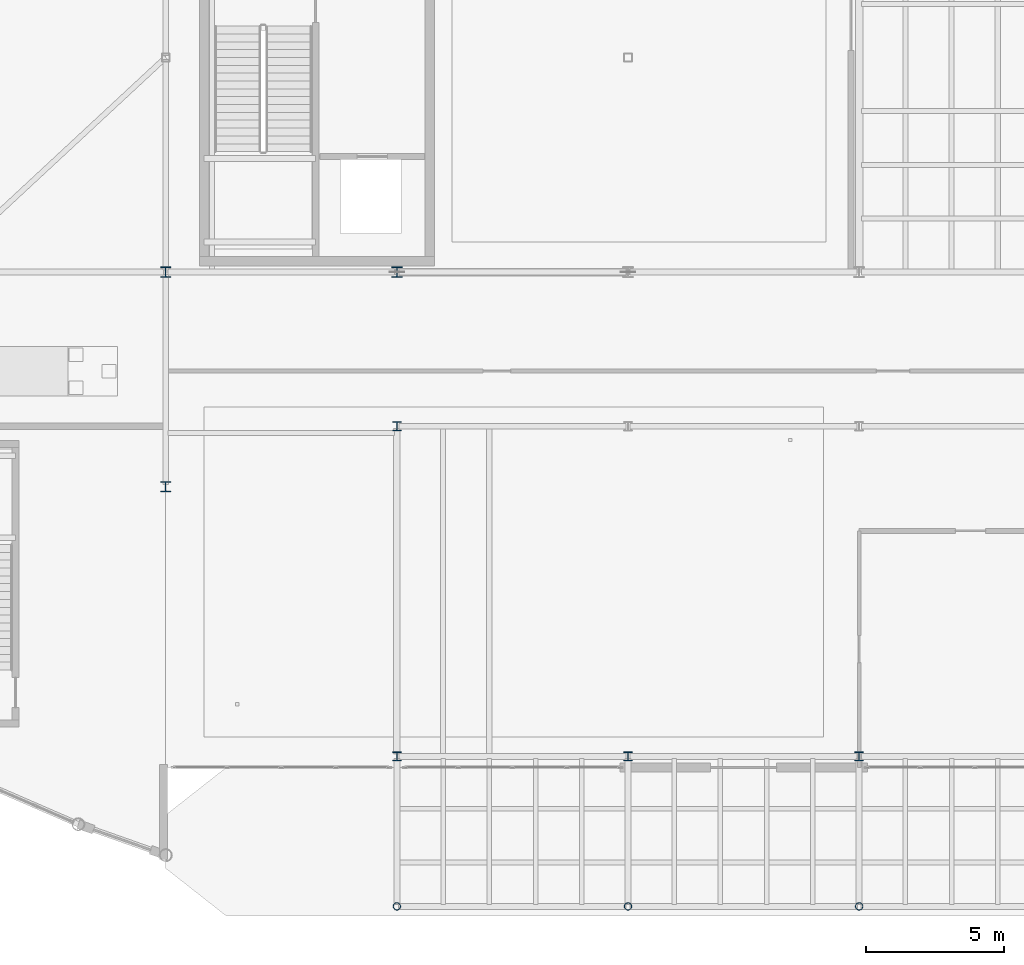
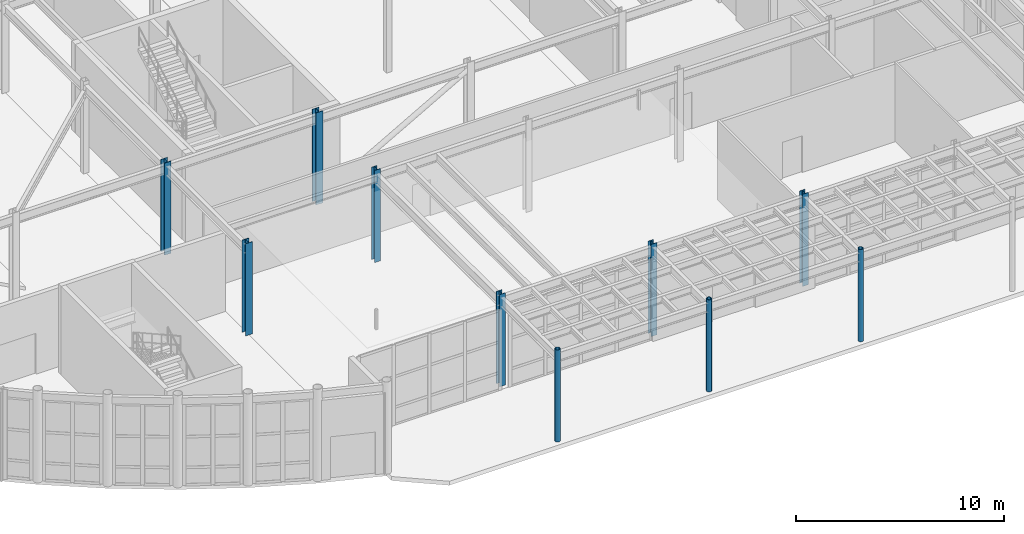
# One storey, part 3 of 87: 10 columns.
"""IFC4 building model written with IfcOpenShell, lengths in metres."""

from ifc_helpers import new_model, si_unit, direction, frame, origin, origin_2d, place, context, subcontext, project, spatial, hollow_circle, i_section, extrude, material, material_profile, profile_set, type_object, element, save


model = new_model("IFC4")

# Units and contexts
model_context = context("Model", 3, precision=1e-05, world=origin(), true_north=direction((0.0, 1.0)))
body_context = subcontext(model_context, "Body", "Model", "MODEL_VIEW")
ifc_project = project(units=[si_unit("LENGTHUNIT", "METRE"), si_unit("AREAUNIT", "SQUARE_METRE"), si_unit("VOLUMEUNIT", "CUBIC_METRE"), si_unit("PLANEANGLEUNIT", "RADIAN"), si_unit("MASSUNIT", "GRAM", prefix="KILO")], contexts=[model_context])

# Site, building, storey
site_placement = place(None, origin())
site = spatial("IfcSite", under=ifc_project, at=site_placement, CompositionType="ELEMENT")
building_placement = place(site_placement, origin())
building = spatial("IfcBuilding", under=site, at=building_placement, Name="Selat Folded Stagehouse", CompositionType="ELEMENT")
storey_placement = place(building_placement, origin())
storey = spatial("IfcBuildingStorey", under=building, at=storey_placement, Name="L00", CompositionType="ELEMENT", Elevation=0.0)

# Columns
ifc_material = material(Name="Steel S355", Category="steel")
ifc_material_profile_1 = material_profile(ifc_material, hollow_circle(Radius=0.136474609375, WallThickness=0.012451171875, at=origin_2d()), Name="CHS 273.0x12.5")
ifc_profile_set_1 = profile_set([ifc_material_profile_1], Name="Steel S355")
column_type_1 = type_object("IfcColumnType", Name="COL-CHS-273x12.5", PredefinedType="COLUMN", material=ifc_profile_set_1)
for number, where, z_axis, x_axis, name in (
    (1, (42.0, 0.35009765625, 0.0), (0.0, 0.0, 1.0), (1.0, 0.0, 0.0), "L00 column STK-COLPOST-42"),
    (2, (50.39990234375, 0.35009765625, 0.0), (0.0, 0.0, 1.0), (1.0, 0.0, 0.0), "L00 column STK-COLPOST-50"),
    (3, (58.800048828125, 0.35009765625, 0.0), (0.0, 0.0, 1.0), (1.0, 0.0, 0.0), "L00 column STK-COLPOST-58"),
):
    element("IfcColumn", number, at=place(storey_placement, frame(where, z_axis=z_axis, x_axis=x_axis)), inside=storey, type_object=column_type_1, Name=name, PredefinedType="COLUMN", context=body_context, shape_type="SweptSolid", body=[
        extrude(hollow_circle(Radius=0.136474609375, WallThickness=0.012451171875, at=origin_2d()), origin(), (0.0, 0.0, 1.0), 5.39990234375),
    ])
ifc_material_profile_2 = material_profile(ifc_material, i_section(OverallWidth=0.311279296875, OverallDepth=0.3271484375, WebThickness=0.015869140625, FlangeThickness=0.02490234375, FilletRadius=0.01513671875, at=origin_2d()), Name="UKC 305x305x158")
ifc_profile_set_2 = profile_set([ifc_material_profile_2], Name="Steel S355")
column_type_2 = type_object("IfcColumnType", Name="COL-UKC-305x305x158", PredefinedType="COLUMN", material=ifc_profile_set_2)
for number, where, z_axis, x_axis, name in (
    (4, (42.0, 5.800048828125, 0.0), (0.0, 0.0, 1.0), (1.0, 0.0, 0.0), "L00 column STK-V5-42-58"),
    (5, (42.0, 17.800048828125, 0.0), (0.0, 0.0, 1.0), (1.0, 0.0, 0.0), "L00 column STK-V5-42-178"),
    (6, (50.39990234375, 5.800048828125, 0.0), (0.0, 0.0, 1.0), (1.0, 0.0, 0.0), "L00 column STK-V5-50-58"),
    (7, (58.800048828125, 5.800048828125, 0.0), (0.0, 0.0, 1.0), (1.0, 0.0, 0.0), "L00 column STK-V5-58-58"),
):
    element("IfcColumn", number, at=place(storey_placement, frame(where, z_axis=z_axis, x_axis=x_axis)), inside=storey, type_object=column_type_2, Name=name, PredefinedType="COLUMN", context=body_context, shape_type="SweptSolid", body=[
        extrude(i_section(OverallWidth=0.311279296875, OverallDepth=0.3271484375, WebThickness=0.015869140625, FlangeThickness=0.02490234375, FilletRadius=0.01513671875, at=origin_2d()), origin(), (0.0, 0.0, 1.0), 5.39990234375),
    ])
ifc_material_profile_3 = material_profile(ifc_material, i_section(OverallWidth=0.374755859375, OverallDepth=0.37451171875, WebThickness=0.0166015625, FlangeThickness=0.027099609375, FilletRadius=0.01513671875, at=origin_2d()), Name="UKC 356x368x202")
ifc_profile_set_3 = profile_set([ifc_material_profile_3], Name="Steel S355")
column_type_3 = type_object("IfcColumnType", Name="COL-UKC-356x368x202", PredefinedType="COLUMN", material=ifc_profile_set_3)
for number, where, z_axis, x_axis, name in (
    (8, (33.60009765625, 15.60009765625, 0.0), (0.0, 0.0, 1.0), (1.0, 0.0, 0.0), "L00 column STK-V2-06"),
    (9, (33.60009765625, 23.39990234375, 0.0), (0.0, 0.0, 1.0), (1.0, 0.0, 0.0), "L00 column STK-V2-07"),
    (10, (42.0, 23.39990234375, 0.0), (0.0, 0.0, 1.0), (1.0, 0.0, 0.0), "L00 column STK-V2-11"),
):
    element("IfcColumn", number, at=place(storey_placement, frame(where, z_axis=z_axis, x_axis=x_axis)), inside=storey, type_object=column_type_3, Name=name, PredefinedType="COLUMN", context=body_context, shape_type="SweptSolid", body=[
        extrude(i_section(OverallWidth=0.374755859375, OverallDepth=0.37451171875, WebThickness=0.0166015625, FlangeThickness=0.027099609375, FilletRadius=0.01513671875, at=origin_2d()), origin(), (0.0, 0.0, 1.0), 5.39990234375),
    ])

save(model, "model.ifc")
